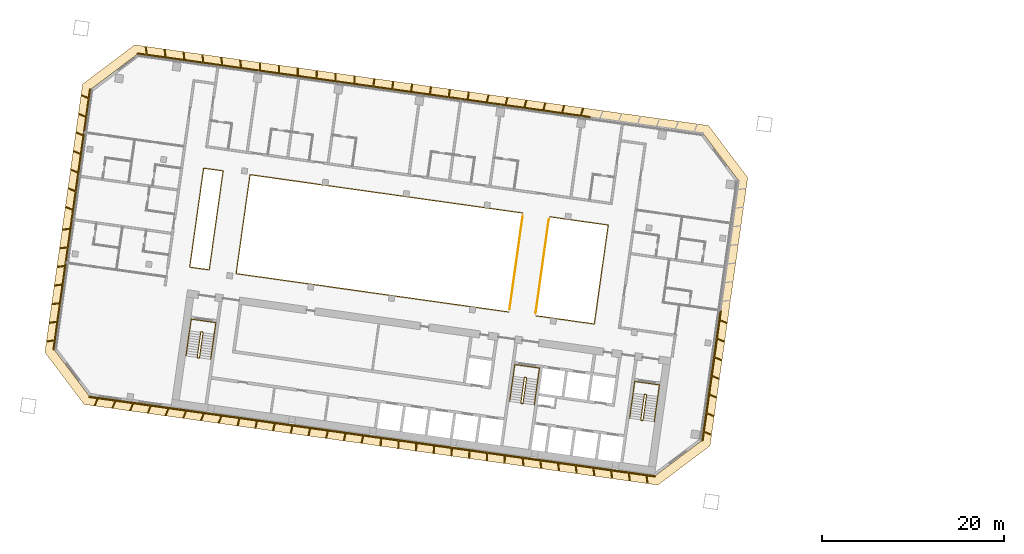
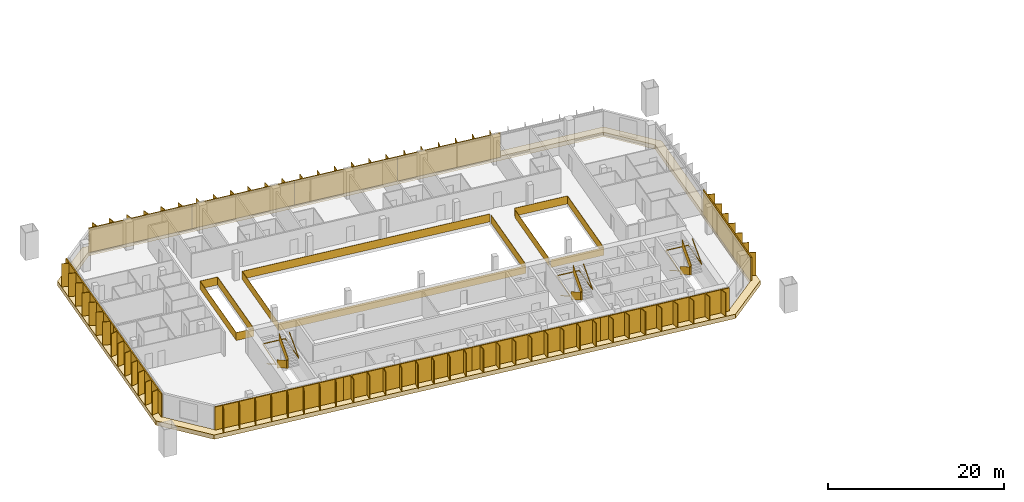
# One storey, part 24 of 26: 11 railings, 11 shading devices, 1 covering.
"""IFC4 building model written with IfcOpenShell, lengths in metres."""

import ifcopenshell
import ifcopenshell.guid

model = None  # the IFC model being written
_history = None  # IfcOwnerHistory: only IFC2X3 demands one
_inside = {}  # id of a spatial element -> (the spatial element, [elements in it])
_under = {}  # id of a project, library or spatial element -> (it, [spatial elements below it])
_declared = {}  # id of a project -> (the project, [libraries it declares])
_typed = {}  # id of a type object -> (the type object, [elements of that type])
_made_of = {}  # id of a material, layer set ... -> (it, [elements and type objects made of it])


def new_model(schema):
    """Start an empty IFC model of exactly this schema.

    Asked for "IFC4X3", IfcOpenShell would pick the latest addendum, in which some entities
    have other attributes; the version numbers below select the first issue.
    IFC2X3 requires an IfcOwnerHistory on every rooted entity: one is made here for all.
    """
    global model, _history
    if schema == "IFC4X3":
        model = ifcopenshell.file(schema_version=(4, 3, 0, 0))
    else:
        model = ifcopenshell.file(schema=schema)
    _inside.clear()
    _under.clear()
    _declared.clear()
    _typed.clear()
    _made_of.clear()
    _history = None
    if model.schema == "IFC2X3":
        org = make("IfcOrganization", Name="unknown")
        user = make(
            "IfcPersonAndOrganization",
            ThePerson=make("IfcPerson", FamilyName="unknown"),
            TheOrganization=org,
        )
        app = make(
            "IfcApplication",
            ApplicationDeveloper=org,
            Version="unknown",
            ApplicationFullName="unknown",
            ApplicationIdentifier="unknown",
        )
        _history = make(
            "IfcOwnerHistory",
            OwningUser=user,
            OwningApplication=app,
            ChangeAction="ADDED",
            CreationDate=0,
        )
    return model


def make(cls, **values):
    """One entity of the class cls with the attributes given. An attribute that is None is left unset."""
    return model.create_entity(
        cls, **{name: value for name, value in values.items() if value is not None}
    )


def rooted(cls, **values):
    """An entity with a GlobalId (a new one), such as an element, a storey or a relation."""
    return make(cls, GlobalId=ifcopenshell.guid.new(), OwnerHistory=_history, **values)


def si_unit(unit_type, name, prefix=None):
    """IfcSIUnit, for example si_unit("LENGTHUNIT", "METRE", prefix="MILLI")."""
    return make("IfcSIUnit", UnitType=unit_type, Prefix=prefix, Name=name)


def assignment(units):
    """IfcUnitAssignment: the units of a project."""
    return None if units is None else make("IfcUnitAssignment", Units=units)


def point(xyz):
    """IfcCartesianPoint."""
    return None if xyz is None else make("IfcCartesianPoint", Coordinates=xyz)


def direction(xyz):
    """IfcDirection."""
    return None if xyz is None else make("IfcDirection", DirectionRatios=xyz)


def frame(location, z_axis=None, x_axis=None):
    """IfcAxis2Placement3D, a coordinate frame: its origin and axes. An axis left out is left unset."""
    return make(
        "IfcAxis2Placement3D",
        Location=point(location),
        Axis=direction(z_axis),
        RefDirection=direction(x_axis),
    )


def frame_2d(location, x_axis=None):
    """IfcAxis2Placement2D, a coordinate frame in the plane: its origin and x axis."""
    return make(
        "IfcAxis2Placement2D", Location=point(location), RefDirection=direction(x_axis)
    )


def origin():
    """The frame at (0, 0, 0) with its axes left unset."""
    return frame((0.0, 0.0, 0.0))


def origin_2d():
    """The frame at (0, 0) in the plane with its x axis left unset."""
    return frame_2d((0.0, 0.0))


def place(relative_to, where):
    """IfcLocalPlacement: puts the frame where relative to a parent placement (None: the world)."""
    return make(
        "IfcLocalPlacement", PlacementRelTo=relative_to, RelativePlacement=where
    )


def context(
    kind, dimensions, precision=None, world=None, true_north=None, identifier=None
):
    """IfcGeometricRepresentationContext, for example the 3D "Model" context."""
    return make(
        "IfcGeometricRepresentationContext",
        ContextIdentifier=identifier,
        ContextType=kind,
        CoordinateSpaceDimension=dimensions,
        Precision=precision,
        WorldCoordinateSystem=world,
        TrueNorth=true_north,
    )


def subcontext(parent, identifier, kind, view, scale=None):
    """IfcGeometricRepresentationSubContext, for example "Body" below "Model"."""
    return make(
        "IfcGeometricRepresentationSubContext",
        ContextIdentifier=identifier,
        ContextType=kind,
        ParentContext=parent,
        TargetScale=scale,
        TargetView=view,
    )


def project(units=None, contexts=None):
    """IfcProject with its units and contexts."""
    return rooted(
        "IfcProject",
        Name="project",
        RepresentationContexts=contexts,
        UnitsInContext=assignment(units),
    )


def spatial(cls, under=None, at=None, **own):
    """A site, building, storey or space (cls), placed at a placement, below another one or the project."""
    s = rooted(cls, ObjectPlacement=at, **own)
    if under is not None:
        _under.setdefault(under.id(), (under, []))[1].append(s)
    return s


def polyline(points):
    """IfcPolyline through the points."""
    return make("IfcPolyline", Points=[point(p) for p in points])


def profile(cls, at=None, kind="AREA", **sizes):
    """A parametric profile (cls). Its sizes go by their IFC names, for example OverallWidth=200.0."""
    return make(cls, ProfileType=kind, Position=at, **sizes)


def rectangle(**sizes):
    """IfcRectangleProfileDef."""
    return profile("IfcRectangleProfileDef", **sizes)


def outline(outer, holes=None, kind="AREA"):
    """IfcArbitraryClosedProfileDef: a profile drawn as a closed curve; with holes, ...WithVoids."""
    if holes is None:
        return make("IfcArbitraryClosedProfileDef", ProfileType=kind, OuterCurve=outer)
    return make(
        "IfcArbitraryProfileDefWithVoids",
        ProfileType=kind,
        OuterCurve=outer,
        InnerCurves=holes,
    )


def extrude(swept, where, along, depth):
    """IfcExtrudedAreaSolid: the profile swept, set in the frame where, extruded along a direction by depth."""
    return make(
        "IfcExtrudedAreaSolid",
        SweptArea=swept,
        Position=where,
        ExtrudedDirection=direction(along),
        Depth=depth,
    )


def shape(context_of_items, identifier, shape_type, items):
    """IfcShapeRepresentation: the items that make up one representation, for example the "Body"."""
    return make(
        "IfcShapeRepresentation",
        ContextOfItems=context_of_items,
        RepresentationIdentifier=identifier,
        RepresentationType=shape_type,
        Items=items,
    )


def material(Name=None, Category=None):
    """IfcMaterial."""
    return make("IfcMaterial", Name=Name, Category=Category)


def layer(
    of_material, thickness, ventilated=None, Name=None, Category=None, Priority=None
):
    """IfcMaterialLayer: one layer of a wall or slab, of a material (None: an air gap)."""
    return make(
        "IfcMaterialLayer",
        Material=of_material,
        LayerThickness=thickness,
        IsVentilated=ventilated,
        Name=Name,
        Category=Category,
        Priority=Priority,
    )


def layer_set(layers, Name=None):
    """IfcMaterialLayerSet."""
    return make("IfcMaterialLayerSet", MaterialLayers=layers, LayerSetName=Name)


def made_of(thing, what):
    """Note that an element or type object is made of a material, layer set ...; save() writes the relation."""
    if what is not None:
        _made_of.setdefault(what.id(), (what, []))[1].append(thing)
    return thing


def type_object(cls, material=None, **own):
    """A type object (cls), such as IfcWallType, which elements share."""
    return made_of(rooted(cls, **own), material)


def element(
    cls,
    number,
    at=None,
    inside=None,
    cuts=None,
    type_object=None,
    material=None,
    context=None,
    identifier="Body",
    shape_type=None,
    held_by="IfcProductDefinitionShape",
    body=None,
    shapes=None,
    **own,
):
    """One element of the class cls, such as IfcWall. Its Tag is "e" and its number.

    at: its placement. inside: the storey or other place that contains it. cuts: it is an
    opening in that element (IfcRelVoidsElement). A single representation is given by context,
    identifier, shape_type and body (its items); several are given by shapes. held_by: the class
    of the entity that holds the representations. save() writes the other relations.
    """
    e = rooted(cls, Tag="e%d" % number, ObjectPlacement=at, **own)
    if body is not None:
        shapes = [shape(context, identifier, shape_type, body)]
    if shapes is not None:
        e.Representation = make(held_by, Representations=shapes)
    if inside is not None:
        _inside.setdefault(inside.id(), (inside, []))[1].append(e)
    if cuts is not None:
        rooted(
            "IfcRelVoidsElement", RelatingBuildingElement=cuts, RelatedOpeningElement=e
        )
    if type_object is not None:
        _typed.setdefault(type_object.id(), (type_object, []))[1].append(e)
    return made_of(e, material)


def aggregate(whole, parts):
    """IfcRelAggregates: a whole, such as a stair, and the parts it consists of."""
    return rooted("IfcRelAggregates", RelatingObject=whole, RelatedObjects=parts)


def save(model, path):
    """Write the relations noted so far, then the file.

    IfcRelAggregates (storeys below a building ...), IfcRelContainedInSpatialStructure (elements
    in a storey), IfcRelDefinesByType, IfcRelAssociatesMaterial and IfcRelDeclares: one each for
    every whole, place, type object, material and project.
    """
    for whole, parts in _under.values():
        aggregate(whole, parts)
    for where, things in _inside.values():
        rooted(
            "IfcRelContainedInSpatialStructure",
            RelatedElements=things,
            RelatingStructure=where,
        )
    for kind, things in _typed.values():
        rooted("IfcRelDefinesByType", RelatedObjects=things, RelatingType=kind)
    for what, things in _made_of.values():
        rooted("IfcRelAssociatesMaterial", RelatedObjects=things, RelatingMaterial=what)
    for by, libraries in _declared.values():
        rooted("IfcRelDeclares", RelatingContext=by, RelatedDefinitions=libraries)
    model.write(path)


model = new_model("IFC4")

# Units and contexts
model_context = context("Model", 3, precision=1e-05, world=origin(), true_north=direction((0.0, 1.0)))
body_context = subcontext(model_context, "Body", "Model", "MODEL_VIEW")
ifc_project = project(units=[si_unit("LENGTHUNIT", "METRE"), si_unit("AREAUNIT", "SQUARE_METRE"), si_unit("VOLUMEUNIT", "CUBIC_METRE"), si_unit("PLANEANGLEUNIT", "RADIAN"), si_unit("MASSUNIT", "GRAM", prefix="KILO")], contexts=[model_context])

# Site, building, storey
site_placement = place(None, origin())
site = spatial("IfcSite", under=ifc_project, at=site_placement, CompositionType="ELEMENT")
building_placement = place(site_placement, origin())
building = spatial("IfcBuilding", under=site, at=building_placement, Name="Mirante Cascada Hotel Towers", CompositionType="ELEMENT")
storey_placement = place(building_placement, frame((0.0, 0.0, 113.9)))
storey = spatial("IfcBuildingStorey", under=building, at=storey_placement, Name="L25", CompositionType="ELEMENT", Elevation=113.9)

# Railings
ifc_material_1 = material(Name="Toughened glass with stainless steel handrail", Category="steel")
railing_type_1 = type_object("IfcRailingType", Name="Atrium guard 1100 glass balustrade", PredefinedType="GUARDRAIL", material=ifc_material_1)
railing_1_placement = place(storey_placement, frame((-48.76, 8.3112, 0.0)))
element("IfcRailing", 1, at=railing_1_placement, inside=storey, type_object=railing_type_1, Name="GUARD 1-L25-1", PredefinedType="GUARDRAIL", context=body_context, shape_type="SweptSolid", body=[
    extrude(rectangle(XDim=0.048, YDim=0.048, at=origin_2d()), frame((0.0, 0.0, 1.076), z_axis=(0.9902694, -0.1391638, 0.0), x_axis=(0.1391638, 0.9902694, 0.0)), (0.0, 0.0, 1.0), 6.5125),
    extrude(rectangle(XDim=0.02, YDim=1.052, at=origin_2d()), frame((0.0, 0.0, 0.526), z_axis=(0.9902694, -0.1391638, 0.0), x_axis=(0.1391638, 0.9902694, 0.0)), (0.0, 0.0, 1.0), 6.5125),
    extrude(rectangle(XDim=0.048, YDim=0.048, at=origin_2d()), frame((6.4491, -0.9063, 1.076), z_axis=(-0.1391721, -0.9902682, 0.0), x_axis=(0.9902682, -0.1391721, 0.0)), (0.0, 0.0, 1.0), 11.0001),
    extrude(rectangle(XDim=0.02, YDim=1.052, at=origin_2d()), frame((6.4491, -0.9063, 0.526), z_axis=(-0.1391721, -0.9902682, 0.0), x_axis=(0.9902682, -0.1391721, 0.0)), (0.0, 0.0, 1.0), 11.0001),
    extrude(rectangle(XDim=0.048, YDim=0.048, at=origin_2d()), frame((4.9182, -11.7993, 1.076), z_axis=(-0.9902673, 0.1391788, 0.0), x_axis=(-0.1391788, -0.9902673, 0.0)), (0.0, 0.0, 1.0), 6.5125),
    extrude(rectangle(XDim=0.02, YDim=1.052, at=origin_2d()), frame((4.9182, -11.7993, 0.526), z_axis=(-0.9902673, 0.1391788, 0.0), x_axis=(-0.1391788, -0.9902673, 0.0)), (0.0, 0.0, 1.0), 6.5125),
])
railing_2_placement = place(storey_placement, frame((-53.2617, -2.1642, 0.0)))
element("IfcRailing", 2, at=railing_2_placement, inside=storey, type_object=railing_type_1, Name="GUARD 1-L25-2", PredefinedType="GUARDRAIL", context=body_context, shape_type="SweptSolid", body=[
    extrude(rectangle(XDim=0.048, YDim=0.048, at=origin_2d()), frame((0.0, 0.0, 1.076), z_axis=(-0.9902682, 0.1391722, 0.0), x_axis=(-0.1391722, -0.9902682, 0.0)), (0.0, 0.0, 1.0), 30.325),
    extrude(rectangle(XDim=0.02, YDim=1.052, at=origin_2d()), frame((0.0, 0.0, 0.526), z_axis=(-0.9902682, 0.1391722, 0.0), x_axis=(-0.1391722, -0.9902682, 0.0)), (0.0, 0.0, 1.0), 30.325),
    extrude(rectangle(XDim=0.048, YDim=0.048, at=origin_2d()), frame((-30.0299, 4.2204, 1.076), z_axis=(0.1391721, 0.9902682, 0.0), x_axis=(-0.9902682, 0.1391721, 0.0)), (0.0, 0.0, 1.0), 11.0001),
    extrude(rectangle(XDim=0.02, YDim=1.052, at=origin_2d()), frame((-30.0299, 4.2204, 0.526), z_axis=(0.1391721, 0.9902682, 0.0), x_axis=(-0.9902682, 0.1391721, 0.0)), (0.0, 0.0, 1.0), 11.0001),
    extrude(rectangle(XDim=0.048, YDim=0.048, at=origin_2d()), frame((-28.499, 15.1134, 1.076), z_axis=(0.9902682, -0.1391722, 0.0), x_axis=(0.1391722, 0.9902682, 0.0)), (0.0, 0.0, 1.0), 30.325),
    extrude(rectangle(XDim=0.02, YDim=1.052, at=origin_2d()), frame((-28.499, 15.1134, 0.526), z_axis=(0.9902682, -0.1391722, 0.0), x_axis=(0.1391722, 0.9902682, 0.0)), (0.0, 0.0, 1.0), 30.325),
])
railing_3_placement = place(storey_placement, frame((-86.2624, 2.4738, 0.0)))
element("IfcRailing", 3, at=railing_3_placement, inside=storey, type_object=railing_type_1, Name="GUARD 1-L25-3", PredefinedType="GUARDRAIL", context=body_context, shape_type="SweptSolid", body=[
    extrude(rectangle(XDim=0.048, YDim=0.048, at=origin_2d()), frame((0.0, 0.0, 1.076), z_axis=(-0.9902724, 0.1391422, 0.0), x_axis=(-0.1391422, -0.9902724, 0.0)), (0.0, 0.0, 1.0), 2.1625),
    extrude(rectangle(XDim=0.02, YDim=1.052, at=origin_2d()), frame((0.0, 0.0, 0.526), z_axis=(-0.9902724, 0.1391422, 0.0), x_axis=(-0.1391422, -0.9902724, 0.0)), (0.0, 0.0, 1.0), 2.1625),
    extrude(rectangle(XDim=0.048, YDim=0.048, at=origin_2d()), frame((-2.1415, 0.3009, 1.076), z_axis=(0.1391721, 0.9902682, 0.0), x_axis=(-0.9902682, 0.1391721, 0.0)), (0.0, 0.0, 1.0), 11.0001),
    extrude(rectangle(XDim=0.02, YDim=1.052, at=origin_2d()), frame((-2.1415, 0.3009, 0.526), z_axis=(0.1391721, 0.9902682, 0.0), x_axis=(-0.9902682, 0.1391721, 0.0)), (0.0, 0.0, 1.0), 11.0001),
    extrude(rectangle(XDim=0.048, YDim=0.048, at=origin_2d()), frame((-0.6106, 11.1939, 1.076), z_axis=(0.990266, -0.1391875, 0.0), x_axis=(0.1391875, 0.990266, 0.0)), (0.0, 0.0, 1.0), 2.1626),
    extrude(rectangle(XDim=0.02, YDim=1.052, at=origin_2d()), frame((-0.6106, 11.1939, 0.526), z_axis=(0.990266, -0.1391875, 0.0), x_axis=(0.1391875, 0.990266, 0.0)), (0.0, 0.0, 1.0), 2.1626),
    extrude(rectangle(XDim=0.048, YDim=0.048, at=origin_2d()), frame((1.5309, 10.8929, 1.076), z_axis=(-0.1391733, -0.990268, 0.0), x_axis=(0.990268, -0.1391733, 0.0)), (0.0, 0.0, 1.0), 11.0),
    extrude(rectangle(XDim=0.02, YDim=1.052, at=origin_2d()), frame((1.5309, 10.8929, 0.526), z_axis=(-0.1391733, -0.990268, 0.0), x_axis=(0.990268, -0.1391733, 0.0)), (0.0, 0.0, 1.0), 11.0),
])
railing_4_placement = place(storey_placement, frame((-53.172, -1.8782, 0.0)))
element("IfcRailing", 4, at=railing_4_placement, inside=storey, type_object=railing_type_1, Name="GUARD 1-L25-4", PredefinedType="GUARDRAIL", context=body_context, shape_type="SweptSolid", body=[
    extrude(rectangle(XDim=0.048, YDim=0.048, at=origin_2d()), frame((0.0, 0.0, 1.076), z_axis=(0.1391721, 0.9902682, 0.0), x_axis=(-0.9902682, 0.1391721, 0.0)), (0.0, 0.0, 1.0), 10.4087),
    extrude(rectangle(XDim=0.02, YDim=1.052, at=origin_2d()), frame((0.0, 0.0, 0.526), z_axis=(0.1391721, 0.9902682, 0.0), x_axis=(-0.9902682, 0.1391721, 0.0)), (0.0, 0.0, 1.0), 10.4087),
])
railing_5_placement = place(storey_placement, frame((-48.8497, 8.0253, 0.0)))
element("IfcRailing", 5, at=railing_5_placement, inside=storey, type_object=railing_type_1, Name="GUARD 1-L25-5", PredefinedType="GUARDRAIL", context=body_context, shape_type="SweptSolid", body=[
    extrude(rectangle(XDim=0.048, YDim=0.048, at=origin_2d()), frame((0.0, 0.0, 1.076), z_axis=(-0.1391708, -0.9902684, 0.0), x_axis=(0.9902684, -0.1391708, 0.0)), (0.0, 0.0, 1.0), 10.4088),
    extrude(rectangle(XDim=0.02, YDim=1.052, at=origin_2d()), frame((0.0, 0.0, 0.526), z_axis=(-0.1391708, -0.9902684, 0.0), x_axis=(0.9902684, -0.1391708, 0.0)), (0.0, 0.0, 1.0), 10.4088),
])

# Covering
ifc_material_2 = material(Name="Precast concrete C40/50 white", Category="concrete")
ifc_layer = layer(ifc_material_2, 0.6)
ifc_layer_set = layer_set([ifc_layer], Name="Precast concrete SUNSHADE band 1000x600")
covering_type = type_object("IfcCoveringType", Name="Precast concrete SUNSHADE band 1000x600", PredefinedType="CLADDING", material=ifc_layer_set)
covering_placement = place(storey_placement, frame((0.0, 0.0, -0.45)))
element("IfcCovering", 6, at=covering_placement, inside=storey, type_object=covering_type, Name="Precast concrete SUNSHADE band T1 L25", PredefinedType="CLADDING", context=body_context, shape_type="SweptSolid", body=[
    extrude(outline(polyline([(-104.3652, -6.6094), (-100.2139, 22.9287), (-94.4698, 27.2572), (-31.2626, 18.374), (-26.9341, 12.6299), (-31.0854, -16.9082), (-36.8295, -21.2367), (-100.0367, -12.3535), (-104.3652, -6.6094)]), holes=[polyline([(-27.982, 12.3589), (-31.8119, 17.4414), (-94.1988, 26.2093), (-99.2813, 22.3794), (-103.3173, -6.3384), (-99.4874, -11.4209), (-37.1005, -20.1888), (-32.018, -16.3589), (-27.982, 12.3589)])]), origin(), (0.0, 0.0, 1.0), 0.6),
])

# Railings
ifc_material_3 = material(Name="Painted steel", Category="steel")
railing_type_2 = type_object("IfcRailingType", Name="Stair guard 1100 steel balustrade", PredefinedType="GUARDRAIL", material=ifc_material_3)
railing_6_placement = place(storey_placement, frame((-38.1178, -11.2603, 0.0)))
element("IfcRailing", 7, at=railing_6_placement, inside=storey, type_object=railing_type_2, Name="L25 ST1-A stair guard 1", PredefinedType="GUARDRAIL", context=body_context, shape_type="SweptSolid", body=[
    extrude(rectangle(XDim=0.048, YDim=0.048, at=origin_2d()), frame((0.0, 0.0, 1.076), z_axis=(-0.9903326, 0.1387133, 0.0), x_axis=(-0.1387133, -0.9903326, 0.0)), (0.0, 0.0, 1.0), 0.1499),
    extrude(rectangle(XDim=0.02, YDim=1.052, at=origin_2d()), frame((0.0, 0.0, 0.526), z_axis=(-0.9903326, 0.1387133, 0.0), x_axis=(-0.1387133, -0.9903326, 0.0)), (0.0, 0.0, 1.0), 0.1499),
    extrude(rectangle(XDim=0.048, YDim=0.048, at=origin_2d()), frame((-0.1485, 0.0208, 1.076), z_axis=(-0.7991505, -0.6011309, 0.0), x_axis=(0.6011309, -0.7991505, 0.0)), (0.0, 0.9254529, 0.3788627), 0.1866),
    extrude(rectangle(XDim=0.02, YDim=1.052, at=origin_2d()), frame((-0.1485, 0.0208, 0.526), z_axis=(-0.7991505, -0.6011309, 0.0), x_axis=(0.6011309, -0.7991505, 0.0)), (0.0, 0.9254529, 0.3788627), 0.1866),
    extrude(rectangle(XDim=0.048, YDim=0.048, at=origin_2d()), frame((-0.205, -0.0217, 1.2487), z_axis=(-0.139176, -0.9902677, 0.0), x_axis=(0.9902677, -0.139176, 0.0)), (0.0, 0.5250212, 0.8510891), 3.29),
    extrude(rectangle(XDim=0.02, YDim=1.052, at=origin_2d()), frame((-0.205, -0.0217, 0.6987), z_axis=(-0.139176, -0.9902677, 0.0), x_axis=(0.9902677, -0.139176, 0.0)), (0.0, 0.5250212, 0.8510891), 3.29),
    extrude(rectangle(XDim=0.048, YDim=0.048, at=origin_2d()), frame((-0.5947, -2.7945, 2.976), z_axis=(0.9270311, -0.3749843, 0.0), x_axis=(0.3749843, 0.9270311, 0.0)), (0.0, 0.0, 1.0), 0.2061),
    extrude(rectangle(XDim=0.02, YDim=1.052, at=origin_2d()), frame((-0.5947, -2.7945, 2.426), z_axis=(0.9270311, -0.3749843, 0.0), x_axis=(0.3749843, 0.9270311, 0.0)), (0.0, 0.0, 1.0), 0.2061),
    extrude(rectangle(XDim=0.048, YDim=0.048, at=origin_2d()), frame((-0.4036, -2.8718, 2.976), z_axis=(-0.9902408, 0.1393672, 0.0), x_axis=(-0.1393672, -0.9902408, 0.0)), (0.0, 0.0, 1.0), 0.15),
    extrude(rectangle(XDim=0.02, YDim=1.052, at=origin_2d()), frame((-0.4036, -2.8718, 2.426), z_axis=(-0.9902408, 0.1393672, 0.0), x_axis=(-0.1393672, -0.9902408, 0.0)), (0.0, 0.0, 1.0), 0.15),
    extrude(rectangle(XDim=0.048, YDim=0.048, at=origin_2d()), frame((-0.5521, -2.8509, 2.976), z_axis=(0.9944948, 0.1047858, 0.0), x_axis=(-0.1047858, 0.9944948, 0.0)), (0.0, 0.6422034, 0.7665343), 0.2689),
    extrude(rectangle(XDim=0.02, YDim=1.052, at=origin_2d()), frame((-0.5521, -2.8509, 2.426), z_axis=(0.9944948, 0.1047858, 0.0), x_axis=(-0.1047858, 0.9944948, 0.0)), (0.0, 0.6422034, 0.7665343), 0.2689),
    extrude(rectangle(XDim=0.048, YDim=0.048, at=origin_2d()), frame((-0.3471, -2.8293, 3.1487), z_axis=(0.139176, 0.9902677, 0.0), x_axis=(-0.9902677, 0.139176, 0.0)), (0.0, 0.5250212, 0.8510891), 3.29),
    extrude(rectangle(XDim=0.02, YDim=1.052, at=origin_2d()), frame((-0.3471, -2.8293, 2.5987), z_axis=(0.139176, 0.9902677, 0.0), x_axis=(-0.9902677, 0.139176, 0.0)), (0.0, 0.5250212, 0.8510891), 3.29),
])
railing_7_placement = place(storey_placement, frame((-51.3379, -9.4024, 0.0)))
element("IfcRailing", 8, at=railing_7_placement, inside=storey, type_object=railing_type_2, Name="L25 ST1-B stair guard 1", PredefinedType="GUARDRAIL", context=body_context, shape_type="SweptSolid", body=[
    extrude(rectangle(XDim=0.048, YDim=0.048, at=origin_2d()), frame((0.0, 0.0, 1.076), z_axis=(-0.9902408, 0.1393672, 0.0), x_axis=(-0.1393672, -0.9902408, 0.0)), (0.0, 0.0, 1.0), 0.15),
    extrude(rectangle(XDim=0.02, YDim=1.052, at=origin_2d()), frame((0.0, 0.0, 0.526), z_axis=(-0.9902408, 0.1393672, 0.0), x_axis=(-0.1393672, -0.9902408, 0.0)), (0.0, 0.0, 1.0), 0.15),
    extrude(rectangle(XDim=0.048, YDim=0.048, at=origin_2d()), frame((-0.1485, 0.0209, 1.076), z_axis=(-0.7984711, -0.6020331, 0.0), x_axis=(0.6020331, -0.7984711, 0.0)), (0.0, 0.9253398, 0.3791387), 0.1866),
    extrude(rectangle(XDim=0.02, YDim=1.052, at=origin_2d()), frame((-0.1485, 0.0209, 0.526), z_axis=(-0.7984711, -0.6020331, 0.0), x_axis=(0.6020331, -0.7984711, 0.0)), (0.0, 0.9253398, 0.3791387), 0.1866),
    extrude(rectangle(XDim=0.048, YDim=0.048, at=origin_2d()), frame((-0.205, -0.0217, 1.2487), z_axis=(-0.139181, -0.990267, 0.0), x_axis=(0.990267, -0.139181, 0.0)), (0.0, 0.5250347, 0.8510808), 3.2899),
    extrude(rectangle(XDim=0.02, YDim=1.052, at=origin_2d()), frame((-0.205, -0.0217, 0.6987), z_axis=(-0.139181, -0.990267, 0.0), x_axis=(0.990267, -0.139181, 0.0)), (0.0, 0.5250347, 0.8510808), 3.2899),
    extrude(rectangle(XDim=0.048, YDim=0.048, at=origin_2d()), frame((-0.5947, -2.7944, 2.976), z_axis=(0.9268624, -0.3754011, 0.0), x_axis=(0.3754011, 0.9268624, 0.0)), (0.0, 0.0, 1.0), 0.2062),
    extrude(rectangle(XDim=0.02, YDim=1.052, at=origin_2d()), frame((-0.5947, -2.7944, 2.426), z_axis=(0.9268624, -0.3754011, 0.0), x_axis=(0.3754011, 0.9268624, 0.0)), (0.0, 0.0, 1.0), 0.2062),
    extrude(rectangle(XDim=0.048, YDim=0.048, at=origin_2d()), frame((-0.4036, -2.8718, 2.976), z_axis=(-0.9902408, 0.1393672, 0.0), x_axis=(-0.1393672, -0.9902408, 0.0)), (0.0, 0.0, 1.0), 0.15),
    extrude(rectangle(XDim=0.02, YDim=1.052, at=origin_2d()), frame((-0.4036, -2.8718, 2.426), z_axis=(-0.9902408, 0.1393672, 0.0), x_axis=(-0.1393672, -0.9902408, 0.0)), (0.0, 0.0, 1.0), 0.15),
    extrude(rectangle(XDim=0.048, YDim=0.048, at=origin_2d()), frame((-0.5521, -2.8509, 2.976), z_axis=(0.9944441, 0.1052656, 0.0), x_axis=(-0.1052656, 0.9944441, 0.0)), (0.0, 0.6421842, 0.7665504), 0.2689),
    extrude(rectangle(XDim=0.02, YDim=1.052, at=origin_2d()), frame((-0.5521, -2.8509, 2.426), z_axis=(0.9944441, 0.1052656, 0.0), x_axis=(-0.1052656, 0.9944441, 0.0)), (0.0, 0.6421842, 0.7665504), 0.2689),
    extrude(rectangle(XDim=0.048, YDim=0.048, at=origin_2d()), frame((-0.3471, -2.8292, 3.1487), z_axis=(0.139181, 0.990267, 0.0), x_axis=(-0.990267, 0.139181, 0.0)), (0.0, 0.5250347, 0.8510808), 3.2899),
    extrude(rectangle(XDim=0.02, YDim=1.052, at=origin_2d()), frame((-0.3471, -2.8292, 2.5987), z_axis=(0.139181, 0.990267, 0.0), x_axis=(-0.990267, 0.139181, 0.0)), (0.0, 0.5250347, 0.8510808), 3.2899),
])
railing_8_placement = place(storey_placement, frame((-86.9875, -4.3922, 0.0)))
element("IfcRailing", 9, at=railing_8_placement, inside=storey, type_object=railing_type_2, Name="L25 ST1-C stair guard 1", PredefinedType="GUARDRAIL", context=body_context, shape_type="SweptSolid", body=[
    extrude(rectangle(XDim=0.048, YDim=0.048, at=origin_2d()), frame((0.0, 0.0, 1.076), z_axis=(-0.9902537, 0.1392753, 0.0), x_axis=(-0.1392753, -0.9902537, 0.0)), (0.0, 0.0, 1.0), 0.1501),
    extrude(rectangle(XDim=0.02, YDim=1.052, at=origin_2d()), frame((0.0, 0.0, 0.526), z_axis=(-0.9902537, 0.1392753, 0.0), x_axis=(-0.1392753, -0.9902537, 0.0)), (0.0, 0.0, 1.0), 0.1501),
    extrude(rectangle(XDim=0.048, YDim=0.048, at=origin_2d()), frame((-0.1486, 0.0209, 1.076), z_axis=(-0.7986386, -0.601811, 0.0), x_axis=(0.601811, -0.7986386, 0.0)), (0.0, 0.925603, 0.3784959), 0.1866),
    extrude(rectangle(XDim=0.02, YDim=1.052, at=origin_2d()), frame((-0.1486, 0.0209, 0.526), z_axis=(-0.7986386, -0.601811, 0.0), x_axis=(0.601811, -0.7986386, 0.0)), (0.0, 0.925603, 0.3784959), 0.1866),
    extrude(rectangle(XDim=0.048, YDim=0.048, at=origin_2d()), frame((-0.205, -0.0216, 1.2487), z_axis=(-0.139176, -0.9902677, 0.0), x_axis=(0.9902677, -0.139176, 0.0)), (0.0, 0.5250212, 0.8510891), 3.29),
    extrude(rectangle(XDim=0.02, YDim=1.052, at=origin_2d()), frame((-0.205, -0.0216, 0.6987), z_axis=(-0.139176, -0.9902677, 0.0), x_axis=(0.9902677, -0.139176, 0.0)), (0.0, 0.5250212, 0.8510891), 3.29),
    extrude(rectangle(XDim=0.048, YDim=0.048, at=origin_2d()), frame((-0.5947, -2.7944, 2.976), z_axis=(0.9270311, -0.3749843, 0.0), x_axis=(0.3749843, 0.9270311, 0.0)), (0.0, 0.0, 1.0), 0.2061),
    extrude(rectangle(XDim=0.02, YDim=1.052, at=origin_2d()), frame((-0.5947, -2.7944, 2.426), z_axis=(0.9270311, -0.3749843, 0.0), x_axis=(0.3749843, 0.9270311, 0.0)), (0.0, 0.0, 1.0), 0.2061),
    extrude(rectangle(XDim=0.048, YDim=0.048, at=origin_2d()), frame((-0.4036, -2.8717, 2.976), z_axis=(-0.9903454, 0.1386217, 0.0), x_axis=(-0.1386217, -0.9903454, 0.0)), (0.0, 0.0, 1.0), 0.15),
    extrude(rectangle(XDim=0.02, YDim=1.052, at=origin_2d()), frame((-0.4036, -2.8717, 2.426), z_axis=(-0.9903454, 0.1386217, 0.0), x_axis=(-0.1386217, -0.9903454, 0.0)), (0.0, 0.0, 1.0), 0.15),
    extrude(rectangle(XDim=0.048, YDim=0.048, at=origin_2d()), frame((-0.5522, -2.8509, 2.976), z_axis=(0.9944441, 0.1052656, 0.0), x_axis=(-0.1052656, 0.9944441, 0.0)), (0.0, 0.6421842, 0.7665504), 0.2689),
    extrude(rectangle(XDim=0.02, YDim=1.052, at=origin_2d()), frame((-0.5522, -2.8509, 2.426), z_axis=(0.9944441, 0.1052656, 0.0), x_axis=(-0.1052656, 0.9944441, 0.0)), (0.0, 0.6421842, 0.7665504), 0.2689),
    extrude(rectangle(XDim=0.048, YDim=0.048, at=origin_2d()), frame((-0.3472, -2.8292, 3.1487), z_axis=(0.139176, 0.9902677, 0.0), x_axis=(-0.9902677, 0.139176, 0.0)), (0.0, 0.5250212, 0.8510891), 3.29),
    extrude(rectangle(XDim=0.02, YDim=1.052, at=origin_2d()), frame((-0.3472, -2.8292, 2.5987), z_axis=(0.139176, 0.9902677, 0.0), x_axis=(-0.9902677, 0.139176, 0.0)), (0.0, 0.5250212, 0.8510891), 3.29),
])
ifc_material_4 = material(Name="Painted steel", Category="steel")
railing_type_3 = type_object("IfcRailingType", Name="Stair handrail 900 steel tube", PredefinedType="HANDRAIL", material=ifc_material_4)
railing_9_placement = place(storey_placement, frame((-39.5606, -11.1081, 0.1727)))
element("IfcRailing", 10, at=railing_9_placement, inside=storey, type_object=railing_type_3, Name="L25 ST1-A stair handrail 1", PredefinedType="HANDRAIL", context=body_context, shape_type="SweptSolid", body=[
    extrude(rectangle(XDim=0.048, YDim=0.048, at=origin_2d()), frame((0.0, 0.0, 0.876), z_axis=(-0.139181, -0.990267, 0.0), x_axis=(0.990267, -0.139181, 0.0)), (0.0, 0.5250347, 0.8510808), 3.2899),
    extrude(rectangle(XDim=0.048, YDim=0.048, at=origin_2d()), frame((-0.3897, -2.7727, 2.6033), z_axis=(0.1391707, 0.9902684, 0.0), x_axis=(-0.9902684, 0.1391707, 0.0)), (0.0, 0.0420846, 0.999114), 4.1036),
    extrude(rectangle(XDim=0.048, YDim=0.048, at=origin_2d()), frame((0.1809, 1.2874, 2.776), z_axis=(0.9902691, -0.1391657, 0.0), x_axis=(0.1391657, 0.9902691, 0.0)), (0.0, 0.0, 1.0), 2.75),
    extrude(rectangle(XDim=0.048, YDim=0.048, at=origin_2d()), frame((2.9041, 0.9047, 2.776), z_axis=(-0.1391707, -0.9902684, 0.0), x_axis=(0.9902684, -0.1391707, 0.0)), (0.0, 0.0, 1.0), 4.1),
    extrude(rectangle(XDim=0.048, YDim=0.048, at=origin_2d()), frame((2.3335, -3.1554, 2.776), z_axis=(0.139181, 0.990267, 0.0), x_axis=(-0.990267, 0.139181, 0.0)), (0.0, 0.5250347, 0.8510808), 3.2899),
])
railing_10_placement = place(storey_placement, frame((-52.7807, -9.2501, 0.1727)))
element("IfcRailing", 11, at=railing_10_placement, inside=storey, type_object=railing_type_3, Name="L25 ST1-B stair handrail 1", PredefinedType="HANDRAIL", context=body_context, shape_type="SweptSolid", body=[
    extrude(rectangle(XDim=0.048, YDim=0.048, at=origin_2d()), frame((0.0, 0.0, 0.876), z_axis=(-0.139181, -0.990267, 0.0), x_axis=(0.990267, -0.139181, 0.0)), (0.0, 0.5250347, 0.8510808), 3.2899),
    extrude(rectangle(XDim=0.048, YDim=0.048, at=origin_2d()), frame((-0.3897, -2.7727, 2.6033), z_axis=(0.1391707, 0.9902684, 0.0), x_axis=(-0.9902684, 0.1391707, 0.0)), (0.0, 0.0420846, 0.999114), 4.1036),
    extrude(rectangle(XDim=0.048, YDim=0.048, at=origin_2d()), frame((0.1809, 1.2874, 2.776), z_axis=(0.9902641, -0.1392013, 0.0), x_axis=(0.1392013, 0.9902641, 0.0)), (0.0, 0.0, 1.0), 2.75),
    extrude(rectangle(XDim=0.048, YDim=0.048, at=origin_2d()), frame((2.9041, 0.9046, 2.776), z_axis=(-0.1391707, -0.9902684, 0.0), x_axis=(0.9902684, -0.1391707, 0.0)), (0.0, 0.0, 1.0), 4.1),
    extrude(rectangle(XDim=0.048, YDim=0.048, at=origin_2d()), frame((2.3335, -3.1555, 2.776), z_axis=(0.139176, 0.9902677, 0.0), x_axis=(-0.9902677, 0.139176, 0.0)), (0.0, 0.5250212, 0.8510891), 3.29),
])
railing_11_placement = place(storey_placement, frame((-88.4304, -4.2399, 0.1727)))
element("IfcRailing", 12, at=railing_11_placement, inside=storey, type_object=railing_type_3, Name="L25 ST1-C stair handrail 1", PredefinedType="HANDRAIL", context=body_context, shape_type="SweptSolid", body=[
    extrude(rectangle(XDim=0.048, YDim=0.048, at=origin_2d()), frame((0.0, 0.0, 0.876), z_axis=(-0.139181, -0.990267, 0.0), x_axis=(0.990267, -0.139181, 0.0)), (0.0, 0.5250347, 0.8510808), 3.2899),
    extrude(rectangle(XDim=0.048, YDim=0.048, at=origin_2d()), frame((-0.3897, -2.7727, 2.6033), z_axis=(0.1391947, 0.990265, 0.0), x_axis=(-0.990265, 0.1391947, 0.0)), (0.0, 0.0420845, 0.9991141), 4.1036),
    extrude(rectangle(XDim=0.048, YDim=0.048, at=origin_2d()), frame((0.181, 1.2874, 2.776), z_axis=(0.9902691, -0.1391657, 0.0), x_axis=(0.1391657, 0.9902691, 0.0)), (0.0, 0.0, 1.0), 2.75),
    extrude(rectangle(XDim=0.048, YDim=0.048, at=origin_2d()), frame((2.9042, 0.9047, 2.776), z_axis=(-0.1391707, -0.9902684, 0.0), x_axis=(0.9902684, -0.1391707, 0.0)), (0.0, 0.0, 1.0), 4.1),
    extrude(rectangle(XDim=0.048, YDim=0.048, at=origin_2d()), frame((2.3336, -3.1554, 2.776), z_axis=(0.139181, 0.990267, 0.0), x_axis=(-0.990267, 0.139181, 0.0)), (0.0, 0.5250347, 0.8510808), 3.2899),
])

# Shading devices
ifc_material_5 = material(Name="White precast concrete C50/60 fin", Category="concrete")
shading_device_type = type_object("IfcShadingDeviceType", Name="Vertical fin set 4500x900", PredefinedType="USERDEFINED", material=ifc_material_5)
shading_device_1_placement = place(storey_placement, origin())
element("IfcShadingDevice", 13, at=shading_device_1_placement, inside=storey, type_object=shading_device_type, Name="FIN T1 L25 front 1", ObjectType="FIN", PredefinedType="USERDEFINED", context=body_context, shape_type="SweptSolid", body=[
    extrude(outline(polyline([(-82.8173, 25.599), (-82.7126, 24.7465), (-81.7006, 24.6042), (-81.7214, 24.4557), (-94.1988, 26.2093), (-94.1779, 26.3578), (-93.1924, 26.2193), (-93.2945, 27.0506), (-93.2151, 27.0603), (-93.1104, 26.2078), (-91.1129, 25.9271), (-91.2149, 26.7583), (-91.1355, 26.7681), (-91.0308, 25.9155), (-89.0333, 25.6348), (-89.1354, 26.4661), (-89.056, 26.4758), (-88.9513, 25.6233), (-86.9537, 25.3425), (-87.0558, 26.1738), (-86.9764, 26.1835), (-86.8717, 25.331), (-84.8742, 25.0503), (-84.9762, 25.8815), (-84.8968, 25.8913), (-84.7922, 25.0387), (-82.7946, 24.758), (-82.8967, 25.5893), (-82.8173, 25.599)])), origin(), (0.0, 0.0, 1.0), 3.35),
])
shading_device_2_placement = place(storey_placement, origin())
element("IfcShadingDevice", 14, at=shading_device_2_placement, inside=storey, type_object=shading_device_type, Name="FIN T1 L25 front 2", ObjectType="FIN", PredefinedType="USERDEFINED", context=body_context, shape_type="SweptSolid", body=[
    extrude(outline(polyline([(-70.2221, 23.8469), (-70.2295, 22.9921), (-69.2232, 22.8507), (-69.2441, 22.7021), (-81.7214, 24.4557), (-81.7006, 24.6042), (-80.7072, 24.4646), (-80.6999, 25.3089), (-80.6199, 25.3082), (-80.6273, 24.4534), (-78.6277, 24.1724), (-78.6203, 25.0166), (-78.5403, 25.0159), (-78.5478, 24.1611), (-76.5481, 23.8801), (-76.5407, 24.7244), (-76.4608, 24.7237), (-76.4682, 23.8689), (-74.4686, 23.5878), (-74.4612, 24.4321), (-74.3812, 24.4314), (-74.3886, 23.5766), (-72.389, 23.2956), (-72.3816, 24.1399), (-72.3016, 24.1392), (-72.3091, 23.2844), (-70.3094, 23.0033), (-70.3021, 23.8476), (-70.2221, 23.8469)])), origin(), (0.0, 0.0, 1.0), 3.35),
])
shading_device_3_placement = place(storey_placement, origin())
element("IfcShadingDevice", 15, at=shading_device_3_placement, inside=storey, type_object=shading_device_type, Name="FIN T1 L25 front 3", ObjectType="FIN", PredefinedType="USERDEFINED", context=body_context, shape_type="SweptSolid", body=[
    extrude(outline(polyline([(-57.6277, 22.0794), (-57.746, 21.2376), (-56.7458, 21.0971), (-56.7667, 20.9485), (-69.2441, 22.7021), (-69.2232, 22.8507), (-68.223, 22.7101), (-68.1047, 23.5518), (-68.0255, 23.5407), (-68.1438, 22.699), (-66.1434, 22.4178), (-66.0251, 23.2596), (-65.9459, 23.2484), (-66.0642, 22.4067), (-64.0639, 22.1256), (-63.9456, 22.9673), (-63.8664, 22.9562), (-63.9847, 22.1144), (-61.9843, 21.8333), (-61.866, 22.675), (-61.7868, 22.6639), (-61.9051, 21.8222), (-59.9048, 21.541), (-59.7865, 22.3828), (-59.7072, 22.3716), (-59.8255, 21.5299), (-57.8252, 21.2488), (-57.7069, 22.0905), (-57.6277, 22.0794)])), origin(), (0.0, 0.0, 1.0), 3.35),
])
shading_device_4_placement = place(storey_placement, origin())
element("IfcShadingDevice", 16, at=shading_device_4_placement, inside=storey, type_object=shading_device_type, Name="FIN T1 L25 front 4", ObjectType="FIN", PredefinedType="USERDEFINED", context=body_context, shape_type="SweptSolid", body=[
    extrude(outline(polyline([(-45.0361, 20.2967), (-45.2617, 19.4831), (-44.2684, 19.3435), (-44.2893, 19.195), (-56.7667, 20.9485), (-56.7458, 21.0971), (-55.7394, 20.9556), (-55.511, 21.7794), (-55.4339, 21.758), (-55.6595, 20.9444), (-53.6599, 20.6634), (-53.4314, 21.4871), (-53.3544, 21.4657), (-53.58, 20.6521), (-51.5803, 20.3711), (-51.3519, 21.1949), (-51.2748, 21.1735), (-51.5004, 20.3599), (-49.5008, 20.0789), (-49.2723, 20.9026), (-49.1952, 20.8812), (-49.4209, 20.0676), (-47.4212, 19.7866), (-47.1928, 20.6103), (-47.1157, 20.589), (-47.3413, 19.7754), (-45.3416, 19.4943), (-45.1132, 20.3181), (-45.0361, 20.2967)])), origin(), (0.0, 0.0, 1.0), 3.35),
])
shading_device_5_placement = place(storey_placement, origin())
element("IfcShadingDevice", 17, at=shading_device_5_placement, inside=storey, type_object=shading_device_type, Name="FIN T1 L25 inner 2", ObjectType="FIN", PredefinedType="USERDEFINED", context=body_context, shape_type="SweptSolid", body=[
    extrude(outline(polyline([(-31.733, -15.4084), (-31.8695, -16.3798), (-32.018, -16.3589), (-30.0, -2.0), (-29.8515, -2.0209), (-29.9917, -3.0188), (-29.201, -3.3544), (-29.2323, -3.428), (-30.0032, -3.1008), (-30.28, -5.07), (-29.4893, -5.4057), (-29.5206, -5.4793), (-30.2915, -5.1521), (-30.5683, -7.1213), (-29.7776, -7.4569), (-29.8089, -7.5306), (-30.5798, -7.2033), (-30.8566, -9.1726), (-30.0659, -9.5082), (-30.0972, -9.5818), (-30.8681, -9.2546), (-31.1449, -11.2238), (-30.3542, -11.5595), (-30.3854, -11.6331), (-31.1564, -11.3059), (-31.4331, -13.2751), (-30.6425, -13.6107), (-30.6737, -13.6844), (-31.4447, -13.3571), (-31.7214, -15.3264), (-30.9308, -15.662), (-30.962, -15.7356), (-31.733, -15.4084)])), origin(), (0.0, 0.0, 1.0), 3.35),
])
shading_device_6_placement = place(storey_placement, origin())
element("IfcShadingDevice", 18, at=shading_device_6_placement, inside=storey, type_object=shading_device_type, Name="FIN T1 L25 outer 1", ObjectType="FIN", PredefinedType="USERDEFINED", context=body_context, shape_type="SweptSolid", body=[
    extrude(outline(polyline([(-103.3178, -5.2642), (-103.041, -3.2949), (-103.8723, -3.397), (-103.8821, -3.3176), (-103.0295, -3.2129), (-102.7528, -1.2436), (-103.584, -1.3457), (-103.5938, -1.2663), (-102.7412, -1.1616), (-102.4645, 0.8076), (-103.2957, 0.7056), (-103.3055, 0.785), (-102.4529, 0.8896), (-102.1762, 2.8589), (-103.0075, 2.7568), (-103.0172, 2.8362), (-102.1647, 2.9409), (-101.8879, 4.9102), (-102.7192, 4.8081), (-102.7289, 4.8875), (-101.8764, 4.9922), (-101.5996, 6.9614), (-102.4309, 6.8594), (-102.4406, 6.9388), (-101.5881, 7.0434), (-101.4478, 8.0413), (-101.2993, 8.0205), (-103.3173, -6.3384), (-103.4659, -6.3175), (-103.3293, -5.3462), (-104.1606, -5.4483), (-104.1704, -5.3689), (-103.3178, -5.2642)])), origin(), (0.0, 0.0, 1.0), 3.35),
])
shading_device_7_placement = place(storey_placement, origin())
element("IfcShadingDevice", 19, at=shading_device_7_placement, inside=storey, type_object=shading_device_type, Name="FIN T1 L25 outer 2", ObjectType="FIN", PredefinedType="USERDEFINED", context=body_context, shape_type="SweptSolid", body=[
    extrude(outline(polyline([(-101.2961, 9.1212), (-101.0193, 11.0905), (-101.81, 11.4261), (-101.7787, 11.4998), (-101.0078, 11.1725), (-100.731, 13.1418), (-101.5217, 13.4774), (-101.4904, 13.551), (-100.7195, 13.2238), (-100.4427, 15.193), (-101.2334, 15.5287), (-101.2021, 15.6023), (-100.4312, 15.2751), (-100.1544, 17.2443), (-100.9451, 17.5799), (-100.9139, 17.6536), (-100.1429, 17.3263), (-99.8662, 19.2956), (-100.6568, 19.6312), (-100.6256, 19.7048), (-99.8546, 19.3776), (-99.5779, 21.3469), (-100.3685, 21.6825), (-100.3373, 21.7561), (-99.5663, 21.4289), (-99.4298, 22.4002), (-99.2813, 22.3794), (-101.2993, 8.0205), (-101.4478, 8.0413), (-101.3076, 9.0392), (-102.0983, 9.3749), (-102.067, 9.4485), (-101.2961, 9.1212)])), origin(), (0.0, 0.0, 1.0), 3.35),
])
shading_device_8_placement = place(storey_placement, origin())
element("IfcShadingDevice", 20, at=shading_device_8_placement, inside=storey, type_object=shading_device_type, Name="FIN T1 L25 rear 1", ObjectType="FIN", PredefinedType="USERDEFINED", context=body_context, shape_type="SweptSolid", body=[
    extrude(outline(polyline([(-38.1239, -20.1965), (-39.9915, -19.934), (-39.8894, -20.7653), (-39.9688, -20.775), (-40.0735, -19.9225), (-41.9411, -19.66), (-41.839, -20.4913), (-41.9184, -20.501), (-42.0231, -19.6485), (-43.8907, -19.386), (-43.7886, -20.2173), (-43.868, -20.227), (-43.9727, -19.3745), (-45.8403, -19.112), (-45.7382, -19.9433), (-45.8176, -19.953), (-45.9223, -19.1005), (-47.7898, -18.838), (-47.6878, -19.6693), (-47.7672, -19.679), (-47.8719, -18.8265), (-49.7394, -18.564), (-49.6374, -19.3953), (-49.7168, -19.405), (-49.8214, -18.5525), (-51.689, -18.29), (-51.587, -19.1213), (-51.6664, -19.131), (-51.771, -18.2785), (-52.7181, -18.1454), (-52.6972, -17.9968), (-37.1005, -20.1888), (-37.1214, -20.3374), (-38.0419, -20.208), (-37.9398, -21.0393), (-38.0192, -21.049), (-38.1239, -20.1965)])), origin(), (0.0, 0.0, 1.0), 3.35),
])
shading_device_9_placement = place(storey_placement, origin())
element("IfcShadingDevice", 21, at=shading_device_9_placement, inside=storey, type_object=shading_device_type, Name="FIN T1 L25 rear 2", ObjectType="FIN", PredefinedType="USERDEFINED", context=body_context, shape_type="SweptSolid", body=[
    extrude(outline(polyline([(-53.7283, -18.0034), (-55.5984, -17.7406), (-55.6427, -18.5857), (-55.7226, -18.5815), (-55.6779, -17.7294), (-57.548, -17.4666), (-57.5923, -18.3117), (-57.6722, -18.3075), (-57.6275, -17.4554), (-59.4976, -17.1926), (-59.5419, -18.0377), (-59.6217, -18.0335), (-59.5771, -17.1814), (-61.4472, -16.9186), (-61.4914, -17.7637), (-61.5713, -17.7596), (-61.5267, -16.9074), (-63.3967, -16.6446), (-63.441, -17.4897), (-63.5209, -17.4856), (-63.4763, -16.6334), (-65.3463, -16.3706), (-65.3906, -17.2157), (-65.4705, -17.2116), (-65.4259, -16.3594), (-67.2959, -16.0966), (-67.3402, -16.9417), (-67.4201, -16.9376), (-67.3755, -16.0854), (-68.3148, -15.9534), (-68.2939, -15.8049), (-52.6972, -17.9968), (-52.7181, -18.1454), (-53.6488, -18.0146), (-53.6931, -18.8597), (-53.773, -18.8555), (-53.7283, -18.0034)])), origin(), (0.0, 0.0, 1.0), 3.35),
])
shading_device_10_placement = place(storey_placement, origin())
element("IfcShadingDevice", 22, at=shading_device_10_placement, inside=storey, type_object=shading_device_type, Name="FIN T1 L25 rear 3", ObjectType="FIN", PredefinedType="USERDEFINED", context=body_context, shape_type="SweptSolid", body=[
    extrude(outline(polyline([(-69.3337, -15.8102), (-71.2038, -15.5474), (-71.3957, -16.3788), (-71.4737, -16.3608), (-71.2833, -15.5362), (-73.1534, -15.2734), (-73.3453, -16.1048), (-73.4233, -16.0868), (-73.2329, -15.2622), (-75.103, -14.9994), (-75.2949, -15.8308), (-75.3729, -15.8128), (-75.1825, -14.9882), (-77.0525, -14.7254), (-77.2445, -15.5568), (-77.3224, -15.5388), (-77.1321, -14.7142), (-79.0021, -14.4514), (-79.1941, -15.2828), (-79.272, -15.2648), (-79.0817, -14.4402), (-80.9517, -14.1774), (-81.1437, -15.0088), (-81.2216, -14.9908), (-81.0312, -14.1662), (-82.9013, -13.9034), (-83.0933, -14.7348), (-83.1712, -14.7168), (-82.9808, -13.8922), (-83.9115, -13.7614), (-83.8907, -13.6129), (-68.2939, -15.8049), (-68.3148, -15.9534), (-69.2542, -15.8214), (-69.4461, -16.6528), (-69.5241, -16.6348), (-69.3337, -15.8102)])), origin(), (0.0, 0.0, 1.0), 3.35),
])
shading_device_11_placement = place(storey_placement, origin())
element("IfcShadingDevice", 23, at=shading_device_11_placement, inside=storey, type_object=shading_device_type, Name="FIN T1 L25 rear 4", ObjectType="FIN", PredefinedType="USERDEFINED", context=body_context, shape_type="SweptSolid", body=[
    extrude(outline(polyline([(-84.9406, -13.6168), (-86.8082, -13.3543), (-87.1438, -14.145), (-87.2174, -14.1137), (-86.8902, -13.3428), (-88.7578, -13.0803), (-89.0934, -13.871), (-89.167, -13.8397), (-88.8398, -13.0688), (-90.7074, -12.8063), (-91.043, -13.597), (-91.1166, -13.5657), (-90.7894, -12.7948), (-92.657, -12.5323), (-92.9926, -13.323), (-93.0662, -13.2918), (-92.739, -12.5208), (-94.6065, -12.2583), (-94.9422, -13.049), (-95.0158, -13.0178), (-94.6886, -12.2468), (-96.5561, -11.9843), (-96.8918, -12.775), (-96.9654, -12.7438), (-96.6381, -11.9728), (-98.5057, -11.7103), (-98.8413, -12.501), (-98.915, -12.4698), (-98.5877, -11.6988), (-99.5083, -11.5694), (-99.4874, -11.4209), (-83.8907, -13.6129), (-83.9115, -13.7614), (-84.8586, -13.6283), (-85.1942, -14.419), (-85.2679, -14.3877), (-84.9406, -13.6168)])), origin(), (0.0, 0.0, 1.0), 3.35),
])

save(model, "model.ifc")
